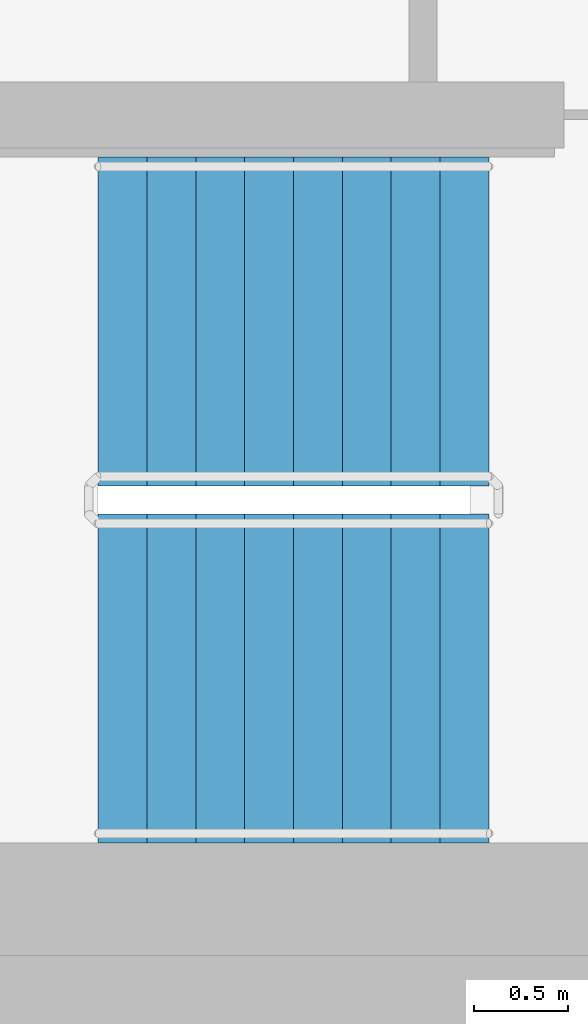
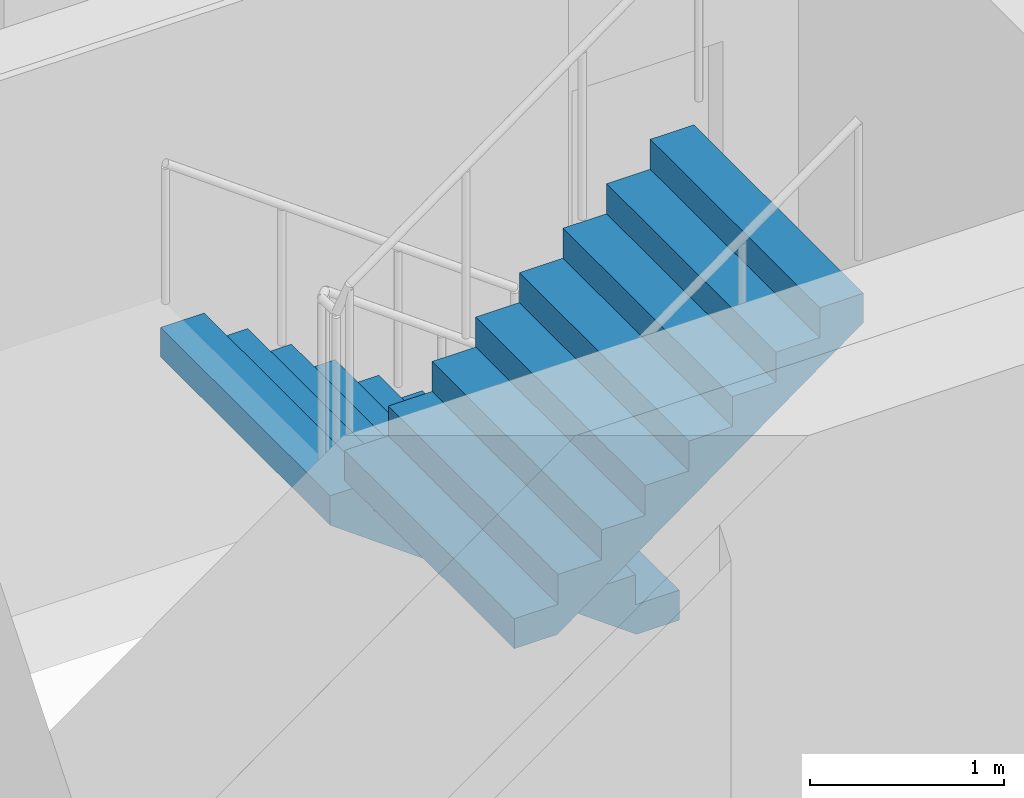
# One storey, part 12 of 18: 2 stair flights, 1 element without a shape of its own.
"""IFC4 building model written with IfcOpenShell, lengths in metres."""

from ifc_helpers import new_model, si_unit, direction, frame, origin, place, context, subcontext, project, spatial, faceted_brep, material, type_object, element, aggregate, save


model = new_model("IFC4")

# Units and contexts
model_context = context("Model", 3, precision=1e-05, world=origin(), true_north=direction((0.0, 1.0)))
body_context = subcontext(model_context, "Body", "Model", "MODEL_VIEW")
ifc_project = project(units=[si_unit("LENGTHUNIT", "METRE"), si_unit("AREAUNIT", "SQUARE_METRE"), si_unit("VOLUMEUNIT", "CUBIC_METRE"), si_unit("PLANEANGLEUNIT", "RADIAN"), si_unit("MASSUNIT", "GRAM", prefix="KILO")], contexts=[model_context])

# Site, building, storey
site_placement = place(None, origin())
site = spatial("IfcSite", under=ifc_project, at=site_placement, CompositionType="ELEMENT")
building_placement = place(site_placement, origin())
building = spatial("IfcBuilding", under=site, at=building_placement, Name="Ipe Terrace Towers", CompositionType="ELEMENT")
storey_placement = place(building_placement, frame((0.0, 0.0, 216.39990234375)))
storey = spatial("IfcBuildingStorey", under=building, at=storey_placement, Name="L60", CompositionType="ELEMENT", Elevation=216.39990234375)

# Stair, stair flights
ifc_material_1 = material(Name="Concrete C30/37", Category="concrete")
stair_type = type_object("IfcStairType", Name="Protected exit stair", PredefinedType="HALF_TURN_STAIR", material=ifc_material_1)
stair_placement = place(storey_placement, origin())
stair = element("IfcStair", 1, at=stair_placement, inside=storey, type_object=stair_type, Name="L60 Exit stair T1-C2", PredefinedType="HALF_TURN_STAIR")
ifc_material_2 = material(Name="Concrete C30/37", Category="concrete")
stair_flight_type = type_object("IfcStairFlightType", Name="Exit stair flight 1750", PredefinedType="STRAIGHT", material=ifc_material_2)
stair_flight_1_placement = place(storey_placement, frame((-45.699951171875, -2.77490234375, 0.0), z_axis=(0.0, 0.0, 1.0), x_axis=(-1.0, 0.0, 0.0)))
stair_flight_1 = element("IfcStairFlight", 2, at=stair_flight_1_placement, type_object=stair_flight_type, Name="T1-ST2 flight 1", NumberOfRisers=9, NumberOfTreads=8, PredefinedType="STRAIGHT", RiserHeight=0.188888889, TreadLength=0.26, context=body_context, shape_type="Brep", body=[
    faceted_brep([(0.255126953125, -0.875, 0.0), (2.080078125, -0.875, 1.325927734375), (2.080078125, -0.875, 1.51123046875), (1.820068359375, -0.875, 1.51123046875), (1.820068359375, -0.875, 1.322265625), (1.56005859375, -0.875, 1.322265625), (1.56005859375, -0.875, 1.13330078125), (1.300048828125, -0.875, 1.13330078125), (1.300048828125, -0.875, 0.9443359375), (1.0400390625, -0.875, 0.9443359375), (1.0400390625, -0.875, 0.755615234375), (0.780029296875, -0.875, 0.755615234375), (0.780029296875, -0.875, 0.566650390625), (0.52001953125, -0.875, 0.566650390625), (0.52001953125, -0.875, 0.377685546875), (0.260009765625, -0.875, 0.377685546875), (0.260009765625, -0.875, 0.18896484375), (0.0, -0.875, 0.18896484375), (0.0, -0.875, 0.0), (0.0, 0.875, 0.0), (0.0, 0.875, 0.18896484375), (0.260009765625, 0.875, 0.18896484375), (0.260009765625, 0.875, 0.377685546875), (0.52001953125, 0.875, 0.377685546875), (0.52001953125, 0.875, 0.566650390625), (0.780029296875, 0.875, 0.566650390625), (0.780029296875, 0.875, 0.755615234375), (1.0400390625, 0.875, 0.755615234375), (1.0400390625, 0.875, 0.9443359375), (1.300048828125, 0.875, 0.9443359375), (1.300048828125, 0.875, 1.13330078125), (1.56005859375, 0.875, 1.13330078125), (1.56005859375, 0.875, 1.322265625), (1.820068359375, 0.875, 1.322265625), (1.820068359375, 0.875, 1.51123046875), (2.080078125, 0.875, 1.51123046875), (2.080078125, 0.875, 1.325927734375), (0.255126953125, 0.875, 0.0), (0.0, -0.300048828125, 0.18896484375), (0.0, -0.1201171875, 0.18896484375), (0.0, -0.06005859375, 0.18896484375), (0.0, -0.030029296875, 0.18896484375), (0.0, -0.010009765625, 0.18896484375), (0.0, 0.0, 0.18896484375), (0.0, 0.010009765625, 0.18896484375), (0.0, 0.030029296875, 0.18896484375), (0.0, 0.06005859375, 0.18896484375), (0.0, 0.1201171875, 0.18896484375), (0.0, 0.300048828125, 0.18896484375), (0.0, 0.300048828125, 0.0), (0.0, 0.1201171875, 0.0), (0.0, 0.06005859375, 0.0), (0.0, 0.030029296875, 0.0), (0.0, 0.010009765625, 0.0), (0.0, 0.0, 0.0), (0.0, -0.010009765625, 0.0), (0.0, -0.030029296875, 0.0), (0.0, -0.06005859375, 0.0), (0.0, -0.1201171875, 0.0), (0.0, -0.300048828125, 0.0), (0.260009765625, -0.300048828125, 0.18896484375), (0.260009765625, -0.1201171875, 0.18896484375), (0.260009765625, -0.06005859375, 0.18896484375), (0.260009765625, -0.030029296875, 0.18896484375), (0.260009765625, -0.010009765625, 0.18896484375), (0.260009765625, 0.0, 0.18896484375), (0.260009765625, 0.010009765625, 0.18896484375), (0.260009765625, 0.030029296875, 0.18896484375), (0.260009765625, 0.06005859375, 0.18896484375), (0.260009765625, 0.1201171875, 0.18896484375), (0.260009765625, 0.300048828125, 0.18896484375), (0.260009765625, -0.300048828125, 0.377685546875), (0.260009765625, -0.1201171875, 0.377685546875), (0.260009765625, -0.06005859375, 0.377685546875), (0.260009765625, -0.030029296875, 0.377685546875), (0.260009765625, -0.010009765625, 0.377685546875), (0.260009765625, 0.0, 0.377685546875), (0.260009765625, 0.010009765625, 0.377685546875), (0.260009765625, 0.030029296875, 0.377685546875), (0.260009765625, 0.06005859375, 0.377685546875), (0.260009765625, 0.1201171875, 0.377685546875), (0.260009765625, 0.300048828125, 0.377685546875), (0.52001953125, -0.300048828125, 0.377685546875), (0.52001953125, -0.1201171875, 0.377685546875), (0.52001953125, -0.06005859375, 0.377685546875), (0.52001953125, -0.030029296875, 0.377685546875), (0.52001953125, -0.010009765625, 0.377685546875), (0.52001953125, 0.0, 0.377685546875), (0.52001953125, 0.010009765625, 0.377685546875), (0.52001953125, 0.030029296875, 0.377685546875), (0.52001953125, 0.06005859375, 0.377685546875), (0.52001953125, 0.1201171875, 0.377685546875), (0.52001953125, 0.300048828125, 0.377685546875), (0.52001953125, -0.300048828125, 0.566650390625), (0.52001953125, -0.1201171875, 0.566650390625), (0.52001953125, -0.06005859375, 0.566650390625), (0.52001953125, -0.030029296875, 0.566650390625), (0.52001953125, -0.010009765625, 0.566650390625), (0.52001953125, 0.0, 0.566650390625), (0.52001953125, 0.010009765625, 0.566650390625), (0.52001953125, 0.030029296875, 0.566650390625), (0.52001953125, 0.06005859375, 0.566650390625), (0.52001953125, 0.1201171875, 0.566650390625), (0.52001953125, 0.300048828125, 0.566650390625), (0.780029296875, -0.300048828125, 0.566650390625), (0.780029296875, -0.1201171875, 0.566650390625), (0.780029296875, -0.06005859375, 0.566650390625), (0.780029296875, -0.030029296875, 0.566650390625), (0.780029296875, -0.010009765625, 0.566650390625), (0.780029296875, 0.0, 0.566650390625), (0.780029296875, 0.010009765625, 0.566650390625), (0.780029296875, 0.030029296875, 0.566650390625), (0.780029296875, 0.06005859375, 0.566650390625), (0.780029296875, 0.1201171875, 0.566650390625), (0.780029296875, 0.300048828125, 0.566650390625), (0.780029296875, -0.300048828125, 0.755615234375), (0.780029296875, -0.1201171875, 0.755615234375), (0.780029296875, -0.06005859375, 0.755615234375), (0.780029296875, -0.030029296875, 0.755615234375), (0.780029296875, -0.010009765625, 0.755615234375), (0.780029296875, 0.0, 0.755615234375), (0.780029296875, 0.010009765625, 0.755615234375), (0.780029296875, 0.030029296875, 0.755615234375), (0.780029296875, 0.06005859375, 0.755615234375), (0.780029296875, 0.1201171875, 0.755615234375), (0.780029296875, 0.300048828125, 0.755615234375), (1.0400390625, -0.300048828125, 0.755615234375), (1.0400390625, -0.1201171875, 0.755615234375), (1.0400390625, -0.06005859375, 0.755615234375), (1.0400390625, -0.030029296875, 0.755615234375), (1.0400390625, -0.010009765625, 0.755615234375), (1.0400390625, 0.0, 0.755615234375), (1.0400390625, 0.010009765625, 0.755615234375), (1.0400390625, 0.030029296875, 0.755615234375), (1.0400390625, 0.06005859375, 0.755615234375), (1.0400390625, 0.1201171875, 0.755615234375), (1.0400390625, 0.300048828125, 0.755615234375), (1.0400390625, -0.300048828125, 0.9443359375), (1.0400390625, -0.1201171875, 0.9443359375), (1.0400390625, -0.06005859375, 0.9443359375), (1.0400390625, -0.030029296875, 0.9443359375), (1.0400390625, -0.010009765625, 0.9443359375), (1.0400390625, 0.0, 0.9443359375), (1.0400390625, 0.010009765625, 0.9443359375), (1.0400390625, 0.030029296875, 0.9443359375), (1.0400390625, 0.06005859375, 0.9443359375), (1.0400390625, 0.1201171875, 0.9443359375), (1.0400390625, 0.300048828125, 0.9443359375), (1.300048828125, -0.300048828125, 0.9443359375), (1.300048828125, -0.1201171875, 0.9443359375), (1.300048828125, -0.06005859375, 0.9443359375), (1.300048828125, -0.030029296875, 0.9443359375), (1.300048828125, -0.010009765625, 0.9443359375), (1.300048828125, 0.0, 0.9443359375), (1.300048828125, 0.010009765625, 0.9443359375), (1.300048828125, 0.030029296875, 0.9443359375), (1.300048828125, 0.06005859375, 0.9443359375), (1.300048828125, 0.1201171875, 0.9443359375), (1.300048828125, 0.300048828125, 0.9443359375), (1.300048828125, -0.300048828125, 1.13330078125), (1.300048828125, -0.1201171875, 1.13330078125), (1.300048828125, -0.06005859375, 1.13330078125), (1.300048828125, -0.030029296875, 1.13330078125), (1.300048828125, -0.010009765625, 1.13330078125), (1.300048828125, 0.0, 1.13330078125), (1.300048828125, 0.010009765625, 1.13330078125), (1.300048828125, 0.030029296875, 1.13330078125), (1.300048828125, 0.06005859375, 1.13330078125), (1.300048828125, 0.1201171875, 1.13330078125), (1.300048828125, 0.300048828125, 1.13330078125), (1.56005859375, -0.300048828125, 1.13330078125), (1.56005859375, -0.1201171875, 1.13330078125), (1.56005859375, -0.06005859375, 1.13330078125), (1.56005859375, -0.030029296875, 1.13330078125), (1.56005859375, -0.010009765625, 1.13330078125), (1.56005859375, 0.0, 1.13330078125), (1.56005859375, 0.010009765625, 1.13330078125), (1.56005859375, 0.030029296875, 1.13330078125), (1.56005859375, 0.06005859375, 1.13330078125), (1.56005859375, 0.1201171875, 1.13330078125), (1.56005859375, 0.300048828125, 1.13330078125), (1.56005859375, -0.300048828125, 1.322265625), (1.56005859375, -0.1201171875, 1.322265625), (1.56005859375, -0.06005859375, 1.322265625), (1.56005859375, -0.030029296875, 1.322265625), (1.56005859375, -0.010009765625, 1.322265625), (1.56005859375, 0.0, 1.322265625), (1.56005859375, 0.010009765625, 1.322265625), (1.56005859375, 0.030029296875, 1.322265625), (1.56005859375, 0.06005859375, 1.322265625), (1.56005859375, 0.1201171875, 1.322265625), (1.56005859375, 0.300048828125, 1.322265625), (1.820068359375, -0.300048828125, 1.322265625), (1.820068359375, -0.1201171875, 1.322265625), (1.820068359375, -0.06005859375, 1.322265625), (1.820068359375, -0.030029296875, 1.322265625), (1.820068359375, -0.010009765625, 1.322265625), (1.820068359375, 0.0, 1.322265625), (1.820068359375, 0.010009765625, 1.322265625), (1.820068359375, 0.030029296875, 1.322265625), (1.820068359375, 0.06005859375, 1.322265625), (1.820068359375, 0.1201171875, 1.322265625), (1.820068359375, 0.300048828125, 1.322265625), (1.820068359375, -0.300048828125, 1.51123046875), (1.820068359375, -0.1201171875, 1.51123046875), (1.820068359375, -0.06005859375, 1.51123046875), (1.820068359375, -0.030029296875, 1.51123046875), (1.820068359375, -0.010009765625, 1.51123046875), (1.820068359375, 0.0, 1.51123046875), (1.820068359375, 0.010009765625, 1.51123046875), (1.820068359375, 0.030029296875, 1.51123046875), (1.820068359375, 0.06005859375, 1.51123046875), (1.820068359375, 0.1201171875, 1.51123046875), (1.820068359375, 0.300048828125, 1.51123046875), (2.080078125, -0.300048828125, 1.51123046875), (2.080078125, -0.1201171875, 1.51123046875), (2.080078125, -0.06005859375, 1.51123046875), (2.080078125, -0.030029296875, 1.51123046875), (2.080078125, -0.010009765625, 1.51123046875), (2.080078125, 0.0, 1.51123046875), (2.080078125, 0.010009765625, 1.51123046875), (2.080078125, 0.030029296875, 1.51123046875), (2.080078125, 0.06005859375, 1.51123046875), (2.080078125, 0.1201171875, 1.51123046875), (2.080078125, 0.300048828125, 1.51123046875), (2.080078125, -0.300048828125, 1.325927734375), (2.080078125, -0.1201171875, 1.325927734375), (2.080078125, -0.06005859375, 1.325927734375), (2.080078125, -0.030029296875, 1.325927734375), (2.080078125, -0.010009765625, 1.325927734375), (2.080078125, 0.0, 1.325927734375), (2.080078125, 0.010009765625, 1.325927734375), (2.080078125, 0.030029296875, 1.325927734375), (2.080078125, 0.06005859375, 1.325927734375), (2.080078125, 0.1201171875, 1.325927734375), (2.080078125, 0.300048828125, 1.325927734375), (0.255126953125, -0.300048828125, 0.0), (0.255126953125, -0.1201171875, 0.0), (0.255126953125, -0.06005859375, 0.0), (0.255126953125, -0.030029296875, 0.0), (0.255126953125, -0.010009765625, 0.0), (0.255126953125, 0.0, 0.0), (0.255126953125, 0.010009765625, 0.0), (0.255126953125, 0.030029296875, 0.0), (0.255126953125, 0.06005859375, 0.0), (0.255126953125, 0.1201171875, 0.0), (0.255126953125, 0.300048828125, 0.0)], [[[0, 1, 2, 3, 4, 5, 6, 7, 8, 9, 10, 11, 12, 13, 14, 15, 16, 17, 18]], [[19, 20, 21, 22, 23, 24, 25, 26, 27, 28, 29, 30, 31, 32, 33, 34, 35, 36, 37]], [[17, 38, 39, 40, 41, 42, 43, 44, 45, 46, 47, 48, 20, 19, 49, 50, 51, 52, 53, 54, 55, 56, 57, 58, 59, 18]], [[16, 60, 61, 62, 63, 64, 65, 66, 67, 68, 69, 70, 21, 20, 48, 47, 46, 45, 44, 43, 42, 41, 40, 39, 38, 17]], [[15, 71, 72, 73, 74, 75, 76, 77, 78, 79, 80, 81, 22, 21, 70, 69, 68, 67, 66, 65, 64, 63, 62, 61, 60, 16]], [[14, 82, 83, 84, 85, 86, 87, 88, 89, 90, 91, 92, 23, 22, 81, 80, 79, 78, 77, 76, 75, 74, 73, 72, 71, 15]], [[13, 93, 94, 95, 96, 97, 98, 99, 100, 101, 102, 103, 24, 23, 92, 91, 90, 89, 88, 87, 86, 85, 84, 83, 82, 14]], [[12, 104, 105, 106, 107, 108, 109, 110, 111, 112, 113, 114, 25, 24, 103, 102, 101, 100, 99, 98, 97, 96, 95, 94, 93, 13]], [[11, 115, 116, 117, 118, 119, 120, 121, 122, 123, 124, 125, 26, 25, 114, 113, 112, 111, 110, 109, 108, 107, 106, 105, 104, 12]], [[10, 126, 127, 128, 129, 130, 131, 132, 133, 134, 135, 136, 27, 26, 125, 124, 123, 122, 121, 120, 119, 118, 117, 116, 115, 11]], [[9, 137, 138, 139, 140, 141, 142, 143, 144, 145, 146, 147, 28, 27, 136, 135, 134, 133, 132, 131, 130, 129, 128, 127, 126, 10]], [[8, 148, 149, 150, 151, 152, 153, 154, 155, 156, 157, 158, 29, 28, 147, 146, 145, 144, 143, 142, 141, 140, 139, 138, 137, 9]], [[7, 159, 160, 161, 162, 163, 164, 165, 166, 167, 168, 169, 30, 29, 158, 157, 156, 155, 154, 153, 152, 151, 150, 149, 148, 8]], [[6, 170, 171, 172, 173, 174, 175, 176, 177, 178, 179, 180, 31, 30, 169, 168, 167, 166, 165, 164, 163, 162, 161, 160, 159, 7]], [[5, 181, 182, 183, 184, 185, 186, 187, 188, 189, 190, 191, 32, 31, 180, 179, 178, 177, 176, 175, 174, 173, 172, 171, 170, 6]], [[4, 192, 193, 194, 195, 196, 197, 198, 199, 200, 201, 202, 33, 32, 191, 190, 189, 188, 187, 186, 185, 184, 183, 182, 181, 5]], [[3, 203, 204, 205, 206, 207, 208, 209, 210, 211, 212, 213, 34, 33, 202, 201, 200, 199, 198, 197, 196, 195, 194, 193, 192, 4]], [[2, 214, 215, 216, 217, 218, 219, 220, 221, 222, 223, 224, 35, 34, 213, 212, 211, 210, 209, 208, 207, 206, 205, 204, 203, 3]], [[1, 225, 226, 227, 228, 229, 230, 231, 232, 233, 234, 235, 36, 35, 224, 223, 222, 221, 220, 219, 218, 217, 216, 215, 214, 2]], [[0, 236, 237, 238, 239, 240, 241, 242, 243, 244, 245, 246, 37, 36, 235, 234, 233, 232, 231, 230, 229, 228, 227, 226, 225, 1]], [[18, 59, 58, 57, 56, 55, 54, 53, 52, 51, 50, 49, 19, 37, 246, 245, 244, 243, 242, 241, 240, 239, 238, 237, 236, 0]]]),
])
stair_flight_2_placement = place(storey_placement, frame((-47.780029296875, -4.675048828125, 1.7001953125), z_axis=(0.0, 0.0, 1.0), x_axis=(1.0, 0.0, 0.0)))
stair_flight_2 = element("IfcStairFlight", 3, at=stair_flight_2_placement, type_object=stair_flight_type, Name="T1-ST2 flight 2", NumberOfRisers=9, NumberOfTreads=8, PredefinedType="STRAIGHT", RiserHeight=0.188888889, TreadLength=0.26, context=body_context, shape_type="Brep", body=[
    faceted_brep([(0.255126953125, -0.875, 0.0), (2.080078125, -0.875, 1.325927734375), (2.080078125, -0.875, 1.51123046875), (1.820068359375, -0.875, 1.51123046875), (1.820068359375, -0.875, 1.322265625), (1.56005859375, -0.875, 1.322265625), (1.56005859375, -0.875, 1.13330078125), (1.300048828125, -0.875, 1.13330078125), (1.300048828125, -0.875, 0.9443359375), (1.0400390625, -0.875, 0.9443359375), (1.0400390625, -0.875, 0.755615234375), (0.780029296875, -0.875, 0.755615234375), (0.780029296875, -0.875, 0.566650390625), (0.52001953125, -0.875, 0.566650390625), (0.52001953125, -0.875, 0.377685546875), (0.260009765625, -0.875, 0.377685546875), (0.260009765625, -0.875, 0.18896484375), (0.0, -0.875, 0.18896484375), (0.0, -0.875, 0.0), (0.0, 0.875, 0.0), (0.0, 0.875, 0.18896484375), (0.260009765625, 0.875, 0.18896484375), (0.260009765625, 0.875, 0.377685546875), (0.52001953125, 0.875, 0.377685546875), (0.52001953125, 0.875, 0.566650390625), (0.780029296875, 0.875, 0.566650390625), (0.780029296875, 0.875, 0.755615234375), (1.0400390625, 0.875, 0.755615234375), (1.0400390625, 0.875, 0.9443359375), (1.300048828125, 0.875, 0.9443359375), (1.300048828125, 0.875, 1.13330078125), (1.56005859375, 0.875, 1.13330078125), (1.56005859375, 0.875, 1.322265625), (1.820068359375, 0.875, 1.322265625), (1.820068359375, 0.875, 1.51123046875), (2.080078125, 0.875, 1.51123046875), (2.080078125, 0.875, 1.325927734375), (0.255126953125, 0.875, 0.0), (0.0, -0.300048828125, 0.18896484375), (0.0, -0.1201171875, 0.18896484375), (0.0, -0.06005859375, 0.18896484375), (0.0, -0.030029296875, 0.18896484375), (0.0, -0.010009765625, 0.18896484375), (0.0, 0.0, 0.18896484375), (0.0, 0.010009765625, 0.18896484375), (0.0, 0.030029296875, 0.18896484375), (0.0, 0.06005859375, 0.18896484375), (0.0, 0.1201171875, 0.18896484375), (0.0, 0.300048828125, 0.18896484375), (0.0, 0.300048828125, 0.0), (0.0, 0.1201171875, 0.0), (0.0, 0.06005859375, 0.0), (0.0, 0.030029296875, 0.0), (0.0, 0.010009765625, 0.0), (0.0, 0.0, 0.0), (0.0, -0.010009765625, 0.0), (0.0, -0.030029296875, 0.0), (0.0, -0.06005859375, 0.0), (0.0, -0.1201171875, 0.0), (0.0, -0.300048828125, 0.0), (0.260009765625, -0.300048828125, 0.18896484375), (0.260009765625, -0.1201171875, 0.18896484375), (0.260009765625, -0.06005859375, 0.18896484375), (0.260009765625, -0.030029296875, 0.18896484375), (0.260009765625, -0.010009765625, 0.18896484375), (0.260009765625, 0.0, 0.18896484375), (0.260009765625, 0.010009765625, 0.18896484375), (0.260009765625, 0.030029296875, 0.18896484375), (0.260009765625, 0.06005859375, 0.18896484375), (0.260009765625, 0.1201171875, 0.18896484375), (0.260009765625, 0.300048828125, 0.18896484375), (0.260009765625, -0.300048828125, 0.377685546875), (0.260009765625, -0.1201171875, 0.377685546875), (0.260009765625, -0.06005859375, 0.377685546875), (0.260009765625, -0.030029296875, 0.377685546875), (0.260009765625, -0.010009765625, 0.377685546875), (0.260009765625, 0.0, 0.377685546875), (0.260009765625, 0.010009765625, 0.377685546875), (0.260009765625, 0.030029296875, 0.377685546875), (0.260009765625, 0.06005859375, 0.377685546875), (0.260009765625, 0.1201171875, 0.377685546875), (0.260009765625, 0.300048828125, 0.377685546875), (0.52001953125, -0.300048828125, 0.377685546875), (0.52001953125, -0.1201171875, 0.377685546875), (0.52001953125, -0.06005859375, 0.377685546875), (0.52001953125, -0.030029296875, 0.377685546875), (0.52001953125, -0.010009765625, 0.377685546875), (0.52001953125, 0.0, 0.377685546875), (0.52001953125, 0.010009765625, 0.377685546875), (0.52001953125, 0.030029296875, 0.377685546875), (0.52001953125, 0.06005859375, 0.377685546875), (0.52001953125, 0.1201171875, 0.377685546875), (0.52001953125, 0.300048828125, 0.377685546875), (0.52001953125, -0.300048828125, 0.566650390625), (0.52001953125, -0.1201171875, 0.566650390625), (0.52001953125, -0.06005859375, 0.566650390625), (0.52001953125, -0.030029296875, 0.566650390625), (0.52001953125, -0.010009765625, 0.566650390625), (0.52001953125, 0.0, 0.566650390625), (0.52001953125, 0.010009765625, 0.566650390625), (0.52001953125, 0.030029296875, 0.566650390625), (0.52001953125, 0.06005859375, 0.566650390625), (0.52001953125, 0.1201171875, 0.566650390625), (0.52001953125, 0.300048828125, 0.566650390625), (0.780029296875, -0.300048828125, 0.566650390625), (0.780029296875, -0.1201171875, 0.566650390625), (0.780029296875, -0.06005859375, 0.566650390625), (0.780029296875, -0.030029296875, 0.566650390625), (0.780029296875, -0.010009765625, 0.566650390625), (0.780029296875, 0.0, 0.566650390625), (0.780029296875, 0.010009765625, 0.566650390625), (0.780029296875, 0.030029296875, 0.566650390625), (0.780029296875, 0.06005859375, 0.566650390625), (0.780029296875, 0.1201171875, 0.566650390625), (0.780029296875, 0.300048828125, 0.566650390625), (0.780029296875, -0.300048828125, 0.755615234375), (0.780029296875, -0.1201171875, 0.755615234375), (0.780029296875, -0.06005859375, 0.755615234375), (0.780029296875, -0.030029296875, 0.755615234375), (0.780029296875, -0.010009765625, 0.755615234375), (0.780029296875, 0.0, 0.755615234375), (0.780029296875, 0.010009765625, 0.755615234375), (0.780029296875, 0.030029296875, 0.755615234375), (0.780029296875, 0.06005859375, 0.755615234375), (0.780029296875, 0.1201171875, 0.755615234375), (0.780029296875, 0.300048828125, 0.755615234375), (1.0400390625, -0.300048828125, 0.755615234375), (1.0400390625, -0.1201171875, 0.755615234375), (1.0400390625, -0.06005859375, 0.755615234375), (1.0400390625, -0.030029296875, 0.755615234375), (1.0400390625, -0.010009765625, 0.755615234375), (1.0400390625, 0.0, 0.755615234375), (1.0400390625, 0.010009765625, 0.755615234375), (1.0400390625, 0.030029296875, 0.755615234375), (1.0400390625, 0.06005859375, 0.755615234375), (1.0400390625, 0.1201171875, 0.755615234375), (1.0400390625, 0.300048828125, 0.755615234375), (1.0400390625, -0.300048828125, 0.9443359375), (1.0400390625, -0.1201171875, 0.9443359375), (1.0400390625, -0.06005859375, 0.9443359375), (1.0400390625, -0.030029296875, 0.9443359375), (1.0400390625, -0.010009765625, 0.9443359375), (1.0400390625, 0.0, 0.9443359375), (1.0400390625, 0.010009765625, 0.9443359375), (1.0400390625, 0.030029296875, 0.9443359375), (1.0400390625, 0.06005859375, 0.9443359375), (1.0400390625, 0.1201171875, 0.9443359375), (1.0400390625, 0.300048828125, 0.9443359375), (1.300048828125, -0.300048828125, 0.9443359375), (1.300048828125, -0.1201171875, 0.9443359375), (1.300048828125, -0.06005859375, 0.9443359375), (1.300048828125, -0.030029296875, 0.9443359375), (1.300048828125, -0.010009765625, 0.9443359375), (1.300048828125, 0.0, 0.9443359375), (1.300048828125, 0.010009765625, 0.9443359375), (1.300048828125, 0.030029296875, 0.9443359375), (1.300048828125, 0.06005859375, 0.9443359375), (1.300048828125, 0.1201171875, 0.9443359375), (1.300048828125, 0.300048828125, 0.9443359375), (1.300048828125, -0.300048828125, 1.13330078125), (1.300048828125, -0.1201171875, 1.13330078125), (1.300048828125, -0.06005859375, 1.13330078125), (1.300048828125, -0.030029296875, 1.13330078125), (1.300048828125, -0.010009765625, 1.13330078125), (1.300048828125, 0.0, 1.13330078125), (1.300048828125, 0.010009765625, 1.13330078125), (1.300048828125, 0.030029296875, 1.13330078125), (1.300048828125, 0.06005859375, 1.13330078125), (1.300048828125, 0.1201171875, 1.13330078125), (1.300048828125, 0.300048828125, 1.13330078125), (1.56005859375, -0.300048828125, 1.13330078125), (1.56005859375, -0.1201171875, 1.13330078125), (1.56005859375, -0.06005859375, 1.13330078125), (1.56005859375, -0.030029296875, 1.13330078125), (1.56005859375, -0.010009765625, 1.13330078125), (1.56005859375, 0.0, 1.13330078125), (1.56005859375, 0.010009765625, 1.13330078125), (1.56005859375, 0.030029296875, 1.13330078125), (1.56005859375, 0.06005859375, 1.13330078125), (1.56005859375, 0.1201171875, 1.13330078125), (1.56005859375, 0.300048828125, 1.13330078125), (1.56005859375, -0.300048828125, 1.322265625), (1.56005859375, -0.1201171875, 1.322265625), (1.56005859375, -0.06005859375, 1.322265625), (1.56005859375, -0.030029296875, 1.322265625), (1.56005859375, -0.010009765625, 1.322265625), (1.56005859375, 0.0, 1.322265625), (1.56005859375, 0.010009765625, 1.322265625), (1.56005859375, 0.030029296875, 1.322265625), (1.56005859375, 0.06005859375, 1.322265625), (1.56005859375, 0.1201171875, 1.322265625), (1.56005859375, 0.300048828125, 1.322265625), (1.820068359375, -0.300048828125, 1.322265625), (1.820068359375, -0.1201171875, 1.322265625), (1.820068359375, -0.06005859375, 1.322265625), (1.820068359375, -0.030029296875, 1.322265625), (1.820068359375, -0.010009765625, 1.322265625), (1.820068359375, 0.0, 1.322265625), (1.820068359375, 0.010009765625, 1.322265625), (1.820068359375, 0.030029296875, 1.322265625), (1.820068359375, 0.06005859375, 1.322265625), (1.820068359375, 0.1201171875, 1.322265625), (1.820068359375, 0.300048828125, 1.322265625), (1.820068359375, -0.300048828125, 1.51123046875), (1.820068359375, -0.1201171875, 1.51123046875), (1.820068359375, -0.06005859375, 1.51123046875), (1.820068359375, -0.030029296875, 1.51123046875), (1.820068359375, -0.010009765625, 1.51123046875), (1.820068359375, 0.0, 1.51123046875), (1.820068359375, 0.010009765625, 1.51123046875), (1.820068359375, 0.030029296875, 1.51123046875), (1.820068359375, 0.06005859375, 1.51123046875), (1.820068359375, 0.1201171875, 1.51123046875), (1.820068359375, 0.300048828125, 1.51123046875), (2.080078125, -0.300048828125, 1.51123046875), (2.080078125, -0.1201171875, 1.51123046875), (2.080078125, -0.06005859375, 1.51123046875), (2.080078125, -0.030029296875, 1.51123046875), (2.080078125, -0.010009765625, 1.51123046875), (2.080078125, 0.0, 1.51123046875), (2.080078125, 0.010009765625, 1.51123046875), (2.080078125, 0.030029296875, 1.51123046875), (2.080078125, 0.06005859375, 1.51123046875), (2.080078125, 0.1201171875, 1.51123046875), (2.080078125, 0.300048828125, 1.51123046875), (2.080078125, -0.300048828125, 1.325927734375), (2.080078125, -0.1201171875, 1.325927734375), (2.080078125, -0.06005859375, 1.325927734375), (2.080078125, -0.030029296875, 1.325927734375), (2.080078125, -0.010009765625, 1.325927734375), (2.080078125, 0.0, 1.325927734375), (2.080078125, 0.010009765625, 1.325927734375), (2.080078125, 0.030029296875, 1.325927734375), (2.080078125, 0.06005859375, 1.325927734375), (2.080078125, 0.1201171875, 1.325927734375), (2.080078125, 0.300048828125, 1.325927734375), (0.255126953125, -0.300048828125, 0.0), (0.255126953125, -0.1201171875, 0.0), (0.255126953125, -0.06005859375, 0.0), (0.255126953125, -0.030029296875, 0.0), (0.255126953125, -0.010009765625, 0.0), (0.255126953125, 0.0, 0.0), (0.255126953125, 0.010009765625, 0.0), (0.255126953125, 0.030029296875, 0.0), (0.255126953125, 0.06005859375, 0.0), (0.255126953125, 0.1201171875, 0.0), (0.255126953125, 0.300048828125, 0.0)], [[[0, 1, 2, 3, 4, 5, 6, 7, 8, 9, 10, 11, 12, 13, 14, 15, 16, 17, 18]], [[19, 20, 21, 22, 23, 24, 25, 26, 27, 28, 29, 30, 31, 32, 33, 34, 35, 36, 37]], [[17, 38, 39, 40, 41, 42, 43, 44, 45, 46, 47, 48, 20, 19, 49, 50, 51, 52, 53, 54, 55, 56, 57, 58, 59, 18]], [[16, 60, 61, 62, 63, 64, 65, 66, 67, 68, 69, 70, 21, 20, 48, 47, 46, 45, 44, 43, 42, 41, 40, 39, 38, 17]], [[15, 71, 72, 73, 74, 75, 76, 77, 78, 79, 80, 81, 22, 21, 70, 69, 68, 67, 66, 65, 64, 63, 62, 61, 60, 16]], [[14, 82, 83, 84, 85, 86, 87, 88, 89, 90, 91, 92, 23, 22, 81, 80, 79, 78, 77, 76, 75, 74, 73, 72, 71, 15]], [[13, 93, 94, 95, 96, 97, 98, 99, 100, 101, 102, 103, 24, 23, 92, 91, 90, 89, 88, 87, 86, 85, 84, 83, 82, 14]], [[12, 104, 105, 106, 107, 108, 109, 110, 111, 112, 113, 114, 25, 24, 103, 102, 101, 100, 99, 98, 97, 96, 95, 94, 93, 13]], [[11, 115, 116, 117, 118, 119, 120, 121, 122, 123, 124, 125, 26, 25, 114, 113, 112, 111, 110, 109, 108, 107, 106, 105, 104, 12]], [[10, 126, 127, 128, 129, 130, 131, 132, 133, 134, 135, 136, 27, 26, 125, 124, 123, 122, 121, 120, 119, 118, 117, 116, 115, 11]], [[9, 137, 138, 139, 140, 141, 142, 143, 144, 145, 146, 147, 28, 27, 136, 135, 134, 133, 132, 131, 130, 129, 128, 127, 126, 10]], [[8, 148, 149, 150, 151, 152, 153, 154, 155, 156, 157, 158, 29, 28, 147, 146, 145, 144, 143, 142, 141, 140, 139, 138, 137, 9]], [[7, 159, 160, 161, 162, 163, 164, 165, 166, 167, 168, 169, 30, 29, 158, 157, 156, 155, 154, 153, 152, 151, 150, 149, 148, 8]], [[6, 170, 171, 172, 173, 174, 175, 176, 177, 178, 179, 180, 31, 30, 169, 168, 167, 166, 165, 164, 163, 162, 161, 160, 159, 7]], [[5, 181, 182, 183, 184, 185, 186, 187, 188, 189, 190, 191, 32, 31, 180, 179, 178, 177, 176, 175, 174, 173, 172, 171, 170, 6]], [[4, 192, 193, 194, 195, 196, 197, 198, 199, 200, 201, 202, 33, 32, 191, 190, 189, 188, 187, 186, 185, 184, 183, 182, 181, 5]], [[3, 203, 204, 205, 206, 207, 208, 209, 210, 211, 212, 213, 34, 33, 202, 201, 200, 199, 198, 197, 196, 195, 194, 193, 192, 4]], [[2, 214, 215, 216, 217, 218, 219, 220, 221, 222, 223, 224, 35, 34, 213, 212, 211, 210, 209, 208, 207, 206, 205, 204, 203, 3]], [[1, 225, 226, 227, 228, 229, 230, 231, 232, 233, 234, 235, 36, 35, 224, 223, 222, 221, 220, 219, 218, 217, 216, 215, 214, 2]], [[0, 236, 237, 238, 239, 240, 241, 242, 243, 244, 245, 246, 37, 36, 235, 234, 233, 232, 231, 230, 229, 228, 227, 226, 225, 1]], [[18, 59, 58, 57, 56, 55, 54, 53, 52, 51, 50, 49, 19, 37, 246, 245, 244, 243, 242, 241, 240, 239, 238, 237, 236, 0]]]),
])
aggregate(stair, [stair_flight_1, stair_flight_2])

save(model, "model.ifc")
